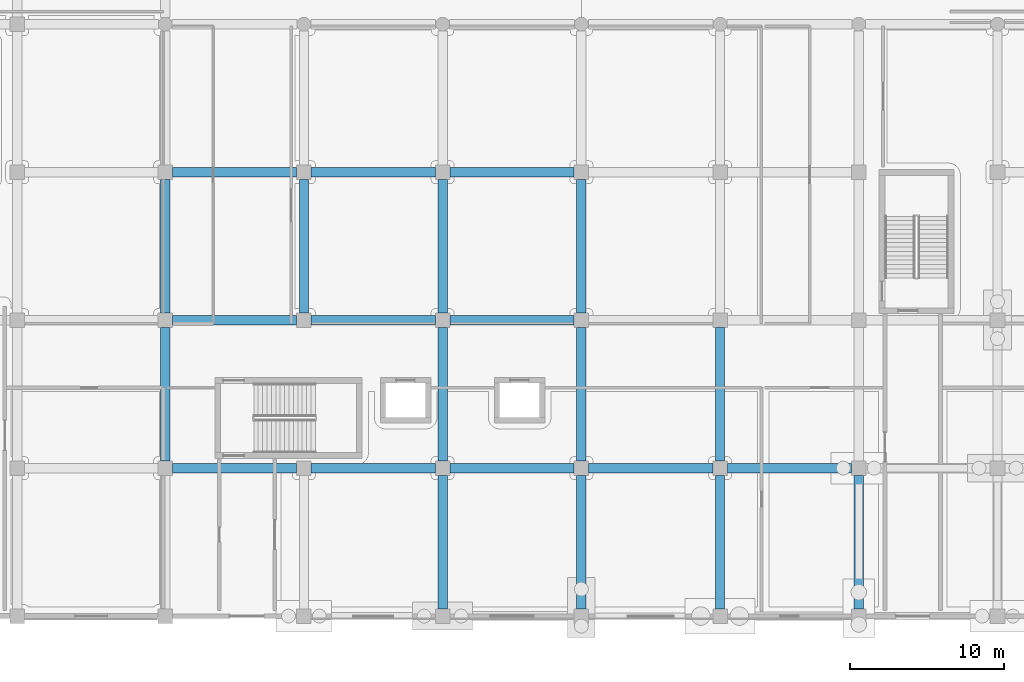
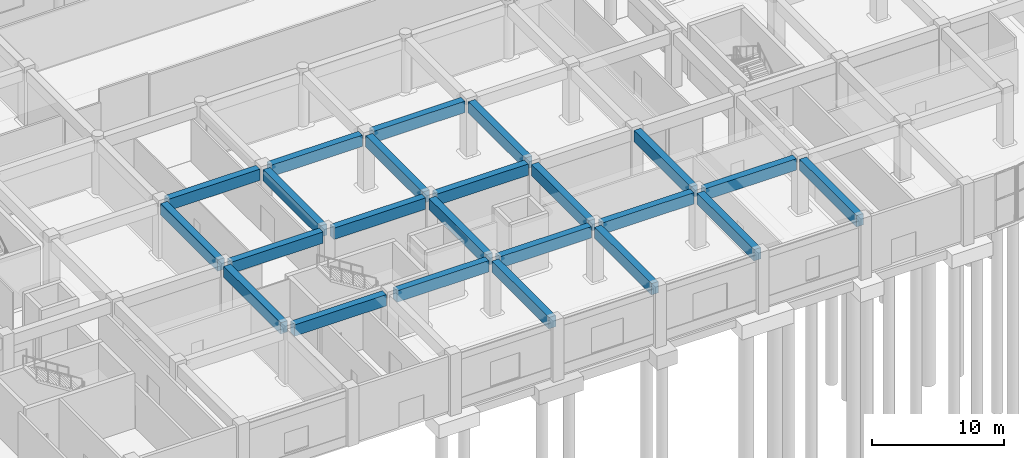
# One storey, part 10 of 74: 23 beams.
"""IFC4 building model written with IfcOpenShell, lengths in metres."""

from ifc_helpers import new_model, si_unit, direction, frame, origin, origin_2d, place, context, subcontext, project, spatial, rectangle, extrude, material, material_profile, profile_set, type_object, element, save


model = new_model("IFC4")

# Units and contexts
model_context = context("Model", 3, precision=1e-05, world=origin(), true_north=direction((0.0, 1.0)))
body_context = subcontext(model_context, "Body", "Model", "MODEL_VIEW")
ifc_project = project(units=[si_unit("LENGTHUNIT", "METRE"), si_unit("AREAUNIT", "SQUARE_METRE"), si_unit("VOLUMEUNIT", "CUBIC_METRE"), si_unit("PLANEANGLEUNIT", "RADIAN"), si_unit("MASSUNIT", "GRAM", prefix="KILO")], contexts=[model_context])

# Site, building, storey
site_placement = place(None, origin())
site = spatial("IfcSite", under=ifc_project, at=site_placement, CompositionType="ELEMENT")
building_placement = place(site_placement, origin())
building = spatial("IfcBuilding", under=site, at=building_placement, Name="Cendralis Terraced Arcade", CompositionType="ELEMENT")
storey_placement = place(building_placement, origin())
storey = spatial("IfcBuildingStorey", under=building, at=storey_placement, Name="L00", CompositionType="ELEMENT", Elevation=0.0)

# Beams
ifc_material = material(Name="Concrete f'c 35 MPa", Category="concrete")
ifc_material_profile = material_profile(ifc_material, rectangle(XDim=0.60009765625, YDim=1.050048828125, at=origin_2d()), Name="RC-BM-600x1050", Category="LoadBearing")
ifc_profile_set = profile_set([ifc_material_profile], Name="Concrete f'c 35 MPa")
beam_type = type_object("IfcBeamType", Name="BM-600x1050", PredefinedType="JOIST", material=ifc_profile_set)
for number, where, z_axis, x_axis, name in (
    (1, (67.675048828125, 9.60009765625, 4.56494140625), (1.0, 0.0, 0.0), (0.0, 1.0, 0.0), "Reinforced Concrete Frame Beam BM-X-L01-B-8_9"),
    (2, (76.675048828125, 9.60009765625, 4.56494140625), (1.0, 0.0, 0.0), (0.0, 1.0, 0.0), "Reinforced Concrete Frame Beam BM-X-L01-B-9_10"),
    (3, (85.675048828125, 9.60009765625, 4.56494140625), (1.0, 0.0, 0.0), (0.0, 1.0, 0.0), "Reinforced Concrete Frame Beam BM-X-L01-B-10_11"),
    (4, (94.675048828125, 9.60009765625, 4.56494140625), (1.0, 0.0, 0.0), (0.0, 1.0, 0.0), "Reinforced Concrete Frame Beam BM-X-L01-B-11_12"),
    (5, (103.675048828125, 9.60009765625, 4.56494140625), (1.0, 0.0, 0.0), (0.0, 1.0, 0.0), "Reinforced Concrete Frame Beam BM-X-L01-B-12_13"),
    (6, (67.675048828125, 19.199951171875, 4.56494140625), (1.0, 0.0, 0.0), (0.0, 1.0, 0.0), "Reinforced Concrete Frame Beam BM-X-L01-C-8_9"),
    (7, (76.675048828125, 19.199951171875, 4.56494140625), (1.0, 0.0, 0.0), (0.0, 1.0, 0.0), "Reinforced Concrete Frame Beam BM-X-L01-C-9_10"),
    (8, (85.675048828125, 19.199951171875, 4.56494140625), (1.0, 0.0, 0.0), (0.0, 1.0, 0.0), "Reinforced Concrete Frame Beam BM-X-L01-C-10_11"),
    (9, (67.675048828125, 28.800048828125, 4.56494140625), (1.0, 0.0, 0.0), (0.0, 1.0, 0.0), "Reinforced Concrete Frame Beam BM-X-L01-D-8_9"),
    (10, (76.675048828125, 28.800048828125, 4.56494140625), (1.0, 0.0, 0.0), (0.0, 1.0, 0.0), "Reinforced Concrete Frame Beam BM-X-L01-D-9_10"),
    (11, (85.675048828125, 28.800048828125, 4.56494140625), (1.0, 0.0, 0.0), (0.0, 1.0, 0.0), "Reinforced Concrete Frame Beam BM-X-L01-D-10_11"),
):
    element("IfcBeam", number, at=place(storey_placement, frame(where, z_axis=z_axis, x_axis=x_axis)), inside=storey, type_object=beam_type, Name=name, PredefinedType="JOIST", context=body_context, shape_type="SweptSolid", body=[
        extrude(rectangle(XDim=0.60009765625, YDim=1.050048828125, at=origin_2d()), origin(), (0.0, 0.0, 1.0), 8.050048828125),
    ])
beam_1_placement = place(storey_placement, frame((67.199951171875, 10.074951171875, 4.56494140625), z_axis=(0.0, 1.0, 0.0), x_axis=(-1.0, 0.0, 0.0)))
element("IfcBeam", 12, at=beam_1_placement, inside=storey, type_object=beam_type, Name="Reinforced Concrete Frame Beam BM-Y-L01-8-B_C", PredefinedType="JOIST", context=body_context, shape_type="SweptSolid", body=[
    extrude(rectangle(XDim=0.60009765625, YDim=1.050048828125, at=origin_2d()), origin(), (0.0, 0.0, 1.0), 8.650146484375),
])
for number, where, z_axis, x_axis, name in (
    (13, (67.199951171875, 19.675048828125, 4.56494140625), (0.0, 1.0, 0.0), (-1.0, 0.0, 0.0), "Reinforced Concrete Frame Beam BM-Y-L01-8-C_D"),
    (14, (76.199951171875, 19.675048828125, 4.56494140625), (0.0, 1.0, 0.0), (-1.0, 0.0, 0.0), "Reinforced Concrete Frame Beam BM-Y-L01-9-C_D"),
    (15, (85.199951171875, 0.47509765625, 4.56494140625), (0.0, 1.0, 0.0), (-1.0, 0.0, 0.0), "Reinforced Concrete Frame Beam BM-Y-L01-10-A_B"),
):
    element("IfcBeam", number, at=place(storey_placement, frame(where, z_axis=z_axis, x_axis=x_axis)), inside=storey, type_object=beam_type, Name=name, PredefinedType="JOIST", context=body_context, shape_type="SweptSolid", body=[
        extrude(rectangle(XDim=0.60009765625, YDim=1.050048828125, at=origin_2d()), origin(), (0.0, 0.0, 1.0), 8.64990234375),
    ])
beam_2_placement = place(storey_placement, frame((85.199951171875, 10.074951171875, 4.56494140625), z_axis=(0.0, 1.0, 0.0), x_axis=(-1.0, 0.0, 0.0)))
element("IfcBeam", 16, at=beam_2_placement, inside=storey, type_object=beam_type, Name="Reinforced Concrete Frame Beam BM-Y-L01-10-B_C", PredefinedType="JOIST", context=body_context, shape_type="SweptSolid", body=[
    extrude(rectangle(XDim=0.60009765625, YDim=1.050048828125, at=origin_2d()), origin(), (0.0, 0.0, 1.0), 8.650146484375),
])
for number, where, z_axis, x_axis, name in (
    (17, (85.199951171875, 19.675048828125, 4.56494140625), (0.0, 1.0, 0.0), (-1.0, 0.0, 0.0), "Reinforced Concrete Frame Beam BM-Y-L01-10-C_D"),
    (18, (94.199951171875, 0.47509765625, 4.56494140625), (0.0, 1.0, 0.0), (-1.0, 0.0, 0.0), "Reinforced Concrete Frame Beam BM-Y-L01-11-A_B"),
):
    element("IfcBeam", number, at=place(storey_placement, frame(where, z_axis=z_axis, x_axis=x_axis)), inside=storey, type_object=beam_type, Name=name, PredefinedType="JOIST", context=body_context, shape_type="SweptSolid", body=[
        extrude(rectangle(XDim=0.60009765625, YDim=1.050048828125, at=origin_2d()), origin(), (0.0, 0.0, 1.0), 8.64990234375),
    ])
beam_3_placement = place(storey_placement, frame((94.199951171875, 10.074951171875, 4.56494140625), z_axis=(0.0, 1.0, 0.0), x_axis=(-1.0, 0.0, 0.0)))
element("IfcBeam", 19, at=beam_3_placement, inside=storey, type_object=beam_type, Name="Reinforced Concrete Frame Beam BM-Y-L01-11-B_C", PredefinedType="JOIST", context=body_context, shape_type="SweptSolid", body=[
    extrude(rectangle(XDim=0.60009765625, YDim=1.050048828125, at=origin_2d()), origin(), (0.0, 0.0, 1.0), 8.650146484375),
])
for number, where, z_axis, x_axis, name in (
    (20, (94.199951171875, 19.675048828125, 4.56494140625), (0.0, 1.0, 0.0), (-1.0, 0.0, 0.0), "Reinforced Concrete Frame Beam BM-Y-L01-11-C_D"),
    (21, (103.199951171875, 0.47509765625, 4.56494140625), (0.0, 1.0, 0.0), (-1.0, 0.0, 0.0), "Reinforced Concrete Frame Beam BM-Y-L01-12-A_B"),
):
    element("IfcBeam", number, at=place(storey_placement, frame(where, z_axis=z_axis, x_axis=x_axis)), inside=storey, type_object=beam_type, Name=name, PredefinedType="JOIST", context=body_context, shape_type="SweptSolid", body=[
        extrude(rectangle(XDim=0.60009765625, YDim=1.050048828125, at=origin_2d()), origin(), (0.0, 0.0, 1.0), 8.64990234375),
    ])
beam_4_placement = place(storey_placement, frame((103.199951171875, 10.074951171875, 4.56494140625), z_axis=(0.0, 1.0, 0.0), x_axis=(-1.0, 0.0, 0.0)))
element("IfcBeam", 22, at=beam_4_placement, inside=storey, type_object=beam_type, Name="Reinforced Concrete Frame Beam BM-Y-L01-12-B_C", PredefinedType="JOIST", context=body_context, shape_type="SweptSolid", body=[
    extrude(rectangle(XDim=0.60009765625, YDim=1.050048828125, at=origin_2d()), origin(), (0.0, 0.0, 1.0), 8.650146484375),
])
beam_5_placement = place(storey_placement, frame((112.199951171875, 0.47509765625, 4.56494140625), z_axis=(0.0, 1.0, 0.0), x_axis=(-1.0, 0.0, 0.0)))
element("IfcBeam", 23, at=beam_5_placement, inside=storey, type_object=beam_type, Name="Reinforced Concrete Frame Beam BM-Y-L01-13-A_B", PredefinedType="JOIST", context=body_context, shape_type="SweptSolid", body=[
    extrude(rectangle(XDim=0.60009765625, YDim=1.050048828125, at=origin_2d()), origin(), (0.0, 0.0, 1.0), 8.64990234375),
])

save(model, "model.ifc")
